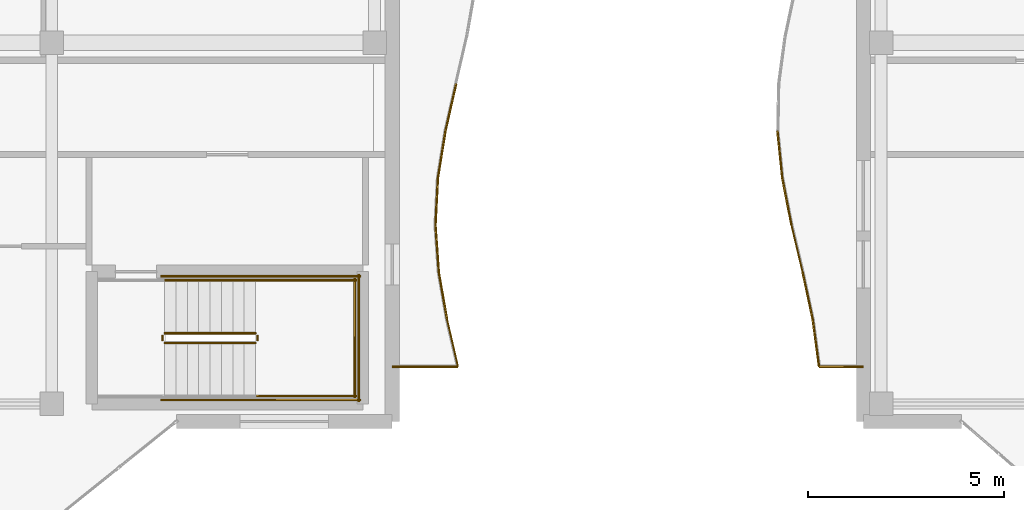
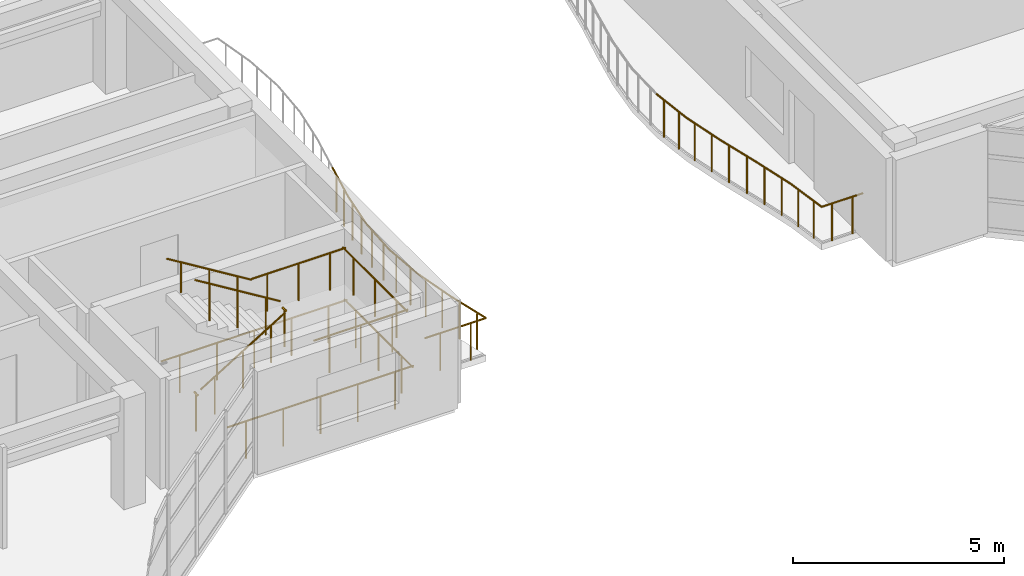
# One storey, part 68 of 79: 24 railings.
"""IFC4 building model written with IfcOpenShell, lengths in metres."""

from ifc_helpers import new_model, si_unit, direction, frame, origin, origin_2d, place, context, subcontext, project, spatial, circle, extrude, material, type_object, element, save


model = new_model("IFC4")

# Units and contexts
model_context = context("Model", 3, precision=1e-05, world=origin(), true_north=direction((0.0, 1.0)))
body_context = subcontext(model_context, "Body", "Model", "MODEL_VIEW")
ifc_project = project(units=[si_unit("LENGTHUNIT", "METRE"), si_unit("AREAUNIT", "SQUARE_METRE"), si_unit("VOLUMEUNIT", "CUBIC_METRE"), si_unit("PLANEANGLEUNIT", "RADIAN"), si_unit("MASSUNIT", "GRAM", prefix="KILO")], contexts=[model_context])

# Site, building, storey
site_placement = place(None, origin())
site = spatial("IfcSite", under=ifc_project, at=site_placement, CompositionType="ELEMENT")
building_placement = place(site_placement, origin())
building = spatial("IfcBuilding", under=site, at=building_placement, Name="Keldmere Railside Commons", CompositionType="ELEMENT")
storey_placement = place(building_placement, frame((0.0, 0.0, 10.56005859375)))
storey = spatial("IfcBuildingStorey", under=building, at=storey_placement, Name="L03", CompositionType="ELEMENT", Elevation=10.56005859375)

# Railings
ifc_material = material(Name="Steel F-24 (S235)", Category="steel")
railing_type_1 = type_object("IfcRailingType", Name="Balcony & Terrace Steel Balustrade 1100", PredefinedType="BALUSTRADE", material=ifc_material)
railing_1_placement = place(storey_placement, frame((81.5, 101.39990234375, 0.0)))
element("IfcRailing", 1, at=railing_1_placement, inside=storey, type_object=railing_type_1, Name="GR-1 GRD-L03-1138", PredefinedType="BALUSTRADE", context=body_context, shape_type="SweptSolid", body=[
    extrude(circle(Radius=0.02392578125, at=origin_2d()), frame((0.0, 0.0, 1.076171875), z_axis=(1.0, 0.0, 0.0), x_axis=(0.0, 1.0, 0.0)), (0.0, 0.0, 1.0), 1.6728515625),
    extrude(circle(Radius=0.02099609375, at=origin_2d()), frame((0.418212890625, 0.0, 0.0)), (0.0, 0.0, 1.0), 1.048095703125),
    extrude(circle(Radius=0.02099609375, at=origin_2d()), frame((1.254638671875, 0.0, 0.0)), (0.0, 0.0, 1.0), 1.048095703125),
])
railing_2_placement = place(storey_placement, frame((83.1728515625, 101.39990234375, 0.0)))
element("IfcRailing", 2, at=railing_2_placement, inside=storey, type_object=railing_type_1, Name="GR-1 GRD-L03-1139", PredefinedType="BALUSTRADE", context=body_context, shape_type="SweptSolid", body=[
    extrude(circle(Radius=0.02392578125, at=origin_2d()), frame((0.0, 0.0, 1.076171875), z_axis=(-0.225525239309, 0.974237325519, 0.0), x_axis=(-0.974237325519, -0.225525239309, 0.0)), (0.0, 0.0, 1.0), 1.23193359375),
    extrude(circle(Radius=0.02099609375, at=origin_2d()), frame((-0.0693359375, 0.300048828125, 0.0)), (0.0, 0.0, 1.0), 1.048095703125),
    extrude(circle(Radius=0.02099609375, at=origin_2d()), frame((-0.20849609375, 0.900146484375, 0.0)), (0.0, 0.0, 1.0), 1.048095703125),
])
railing_3_placement = place(storey_placement, frame((82.89501953125, 102.60009765625, 0.0)))
element("IfcRailing", 3, at=railing_3_placement, inside=storey, type_object=railing_type_1, Name="GR-1 GRD-L03-1140", PredefinedType="BALUSTRADE", context=body_context, shape_type="SweptSolid", body=[
    extrude(circle(Radius=0.02392578125, at=origin_2d()), frame((0.0, 0.0, 1.076171875), z_axis=(-0.17196706336, 0.985102699783, 0.0), x_axis=(-0.985102699783, -0.17196706336, 0.0)), (0.0, 0.0, 1.0), 1.218017578125),
    extrude(circle(Radius=0.02099609375, at=origin_2d()), frame((-0.05224609375, 0.300048828125, 0.0)), (0.0, 0.0, 1.0), 1.048095703125),
    extrude(circle(Radius=0.02099609375, at=origin_2d()), frame((-0.1572265625, 0.89990234375, 0.0)), (0.0, 0.0, 1.0), 1.048095703125),
])
railing_4_placement = place(storey_placement, frame((82.685546875, 103.800048828125, 0.0)))
element("IfcRailing", 4, at=railing_4_placement, inside=storey, type_object=railing_type_1, Name="GR-1 GRD-L03-1141", PredefinedType="BALUSTRADE", context=body_context, shape_type="SweptSolid", body=[
    extrude(circle(Radius=0.02392578125, at=origin_2d()), frame((0.0, 0.0, 1.076171875), z_axis=(-0.070626851772, 0.997502805915, 0.0), x_axis=(-0.997502805915, -0.070626851772, 0.0)), (0.0, 0.0, 1.0), 1.202880859375),
    extrude(circle(Radius=0.02099609375, at=origin_2d()), frame((-0.021240234375, 0.300048828125, 0.0)), (0.0, 0.0, 1.0), 1.048095703125),
    extrude(circle(Radius=0.02099609375, at=origin_2d()), frame((-0.063720703125, 0.89990234375, 0.0)), (0.0, 0.0, 1.0), 1.048095703125),
])
railing_5_placement = place(storey_placement, frame((82.6005859375, 105.0, 0.0)))
element("IfcRailing", 5, at=railing_5_placement, inside=storey, type_object=railing_type_1, Name="GR-1 GRD-L03-1142", PredefinedType="BALUSTRADE", context=body_context, shape_type="SweptSolid", body=[
    extrude(circle(Radius=0.02392578125, at=origin_2d()), frame((0.0, 0.0, 1.076171875), z_axis=(0.051609664831, 0.998667333248, 0.0), x_axis=(-0.998667333248, 0.051609664831, 0.0)), (0.0, 0.0, 1.0), 1.20166015625),
    extrude(circle(Radius=0.02099609375, at=origin_2d()), frame((0.015625, 0.300048828125, 0.0)), (0.0, 0.0, 1.0), 1.048095703125),
    extrude(circle(Radius=0.02099609375, at=origin_2d()), frame((0.04638671875, 0.89990234375, 0.0)), (0.0, 0.0, 1.0), 1.048095703125),
])
railing_6_placement = place(storey_placement, frame((82.66259765625, 106.199951171875, 0.0)))
element("IfcRailing", 6, at=railing_6_placement, inside=storey, type_object=railing_type_1, Name="GR-1 GRD-L03-1143", PredefinedType="BALUSTRADE", context=body_context, shape_type="SweptSolid", body=[
    extrude(circle(Radius=0.02392578125, at=origin_2d()), frame((0.0, 0.0, 1.076171875), z_axis=(0.158695579516, 0.987327561168, 0.0), x_axis=(-0.987327561168, 0.158695579516, 0.0)), (0.0, 0.0, 1.0), 1.21533203125),
    extrude(circle(Radius=0.02099609375, at=origin_2d()), frame((0.04833984375, 0.300048828125, 0.0)), (0.0, 0.0, 1.0), 1.048095703125),
    extrude(circle(Radius=0.02099609375, at=origin_2d()), frame((0.14453125, 0.89990234375, 0.0)), (0.0, 0.0, 1.0), 1.048095703125),
])
railing_7_placement = place(storey_placement, frame((82.85546875, 107.39990234375, 0.0)))
element("IfcRailing", 7, at=railing_7_placement, inside=storey, type_object=railing_type_1, Name="GR-1 GRD-L03-1144", PredefinedType="BALUSTRADE", context=body_context, shape_type="SweptSolid", body=[
    extrude(circle(Radius=0.02392578125, at=origin_2d()), frame((0.0, 0.0, 1.076171875), z_axis=(0.220814970229, 0.975315717562, 0.0), x_axis=(-0.975315717562, 0.220814970229, 0.0)), (0.0, 0.0, 1.0), 1.23046875),
    extrude(circle(Radius=0.02099609375, at=origin_2d()), frame((0.06787109375, 0.300048828125, 0.0)), (0.0, 0.0, 1.0), 1.048095703125),
    extrude(circle(Radius=0.02099609375, at=origin_2d()), frame((0.203857421875, 0.900146484375, 0.0)), (0.0, 0.0, 1.0), 1.048095703125),
])
railing_8_placement = place(storey_placement, frame((93.5, 101.39990234375, 0.0)))
element("IfcRailing", 8, at=railing_8_placement, inside=storey, type_object=railing_type_1, Name="GR-1 GRD-L03-2211", PredefinedType="BALUSTRADE", context=body_context, shape_type="SweptSolid", body=[
    extrude(circle(Radius=0.02392578125, at=origin_2d()), frame((0.0, 0.0, 1.076171875), z_axis=(-1.0, 0.0, 0.0), x_axis=(0.0, -1.0, 0.0)), (0.0, 0.0, 1.0), 1.131103515625),
    extrude(circle(Radius=0.02099609375, at=origin_2d()), frame((-0.28271484375, 0.0, 0.0)), (0.0, 0.0, 1.0), 1.048095703125),
    extrude(circle(Radius=0.02099609375, at=origin_2d()), frame((-0.848388671875, 0.0, 0.0)), (0.0, 0.0, 1.0), 1.048095703125),
])
railing_9_placement = place(storey_placement, frame((92.368896484375, 101.39990234375, 0.0)))
element("IfcRailing", 9, at=railing_9_placement, inside=storey, type_object=railing_type_1, Name="GR-1 GRD-L03-2212", PredefinedType="BALUSTRADE", context=body_context, shape_type="SweptSolid", body=[
    extrude(circle(Radius=0.02392578125, at=origin_2d()), frame((0.0, 0.0, 1.076171875), z_axis=(-0.132665550512, 0.991160860662, 0.0), x_axis=(-0.991160860662, -0.132665550512, 0.0)), (0.0, 0.0, 1.0), 1.2109375),
    extrude(circle(Radius=0.02099609375, at=origin_2d()), frame((-0.0400390625, 0.300048828125, 0.0)), (0.0, 0.0, 1.0), 1.048095703125),
    extrude(circle(Radius=0.02099609375, at=origin_2d()), frame((-0.12060546875, 0.900146484375, 0.0)), (0.0, 0.0, 1.0), 1.048095703125),
])
railing_10_placement = place(storey_placement, frame((92.208251953125, 102.60009765625, 0.0)))
element("IfcRailing", 10, at=railing_10_placement, inside=storey, type_object=railing_type_1, Name="GR-1 GRD-L03-2213", PredefinedType="BALUSTRADE", context=body_context, shape_type="SweptSolid", body=[
    extrude(circle(Radius=0.02392578125, at=origin_2d()), frame((0.0, 0.0, 1.076171875), z_axis=(-0.20910785461, 0.977892583641, 0.0), x_axis=(-0.977892583641, -0.20910785461, 0.0)), (0.0, 0.0, 1.0), 1.22705078125),
    extrude(circle(Radius=0.02099609375, at=origin_2d()), frame((-0.064208984375, 0.300048828125, 0.0)), (0.0, 0.0, 1.0), 1.048095703125),
    extrude(circle(Radius=0.02099609375, at=origin_2d()), frame((-0.1923828125, 0.89990234375, 0.0)), (0.0, 0.0, 1.0), 1.048095703125),
])
railing_11_placement = place(storey_placement, frame((91.95166015625, 103.800048828125, 0.0)))
element("IfcRailing", 11, at=railing_11_placement, inside=storey, type_object=railing_type_1, Name="GR-1 GRD-L03-2214", PredefinedType="BALUSTRADE", context=body_context, shape_type="SweptSolid", body=[
    extrude(circle(Radius=0.02392578125, at=origin_2d()), frame((0.0, 0.0, 1.076171875), z_axis=(-0.230264103004, 0.973128173915, 0.0), x_axis=(-0.973128173915, -0.230264103004, 0.0)), (0.0, 0.0, 1.0), 1.233154296875),
    extrude(circle(Radius=0.02099609375, at=origin_2d()), frame((-0.071044921875, 0.300048828125, 0.0)), (0.0, 0.0, 1.0), 1.048095703125),
    extrude(circle(Radius=0.02099609375, at=origin_2d()), frame((-0.212890625, 0.89990234375, 0.0)), (0.0, 0.0, 1.0), 1.048095703125),
])
railing_12_placement = place(storey_placement, frame((91.667724609375, 105.0, 0.0)))
element("IfcRailing", 12, at=railing_12_placement, inside=storey, type_object=railing_type_1, Name="GR-1 GRD-L03-2215", PredefinedType="BALUSTRADE", context=body_context, shape_type="SweptSolid", body=[
    extrude(circle(Radius=0.02392578125, at=origin_2d()), frame((0.0, 0.0, 1.076171875), z_axis=(-0.192082676456, 0.981378747174, 0.0), x_axis=(-0.981378747174, -0.192082676456, 0.0)), (0.0, 0.0, 1.0), 1.22265625),
    extrude(circle(Radius=0.02099609375, at=origin_2d()), frame((-0.05859375, 0.300048828125, 0.0)), (0.0, 0.0, 1.0), 1.048095703125),
    extrude(circle(Radius=0.02099609375, at=origin_2d()), frame((-0.17626953125, 0.89990234375, 0.0)), (0.0, 0.0, 1.0), 1.048095703125),
])
railing_13_placement = place(storey_placement, frame((91.432861328125, 106.199951171875, 0.0)))
element("IfcRailing", 13, at=railing_13_placement, inside=storey, type_object=railing_type_1, Name="GR-1 GRD-L03-2216", PredefinedType="BALUSTRADE", context=body_context, shape_type="SweptSolid", body=[
    extrude(circle(Radius=0.02392578125, at=origin_2d()), frame((0.0, 0.0, 1.076171875), z_axis=(-0.102208608031, 0.99476298707, 0.0), x_axis=(-0.99476298707, -0.102208608031, 0.0)), (0.0, 0.0, 1.0), 1.206298828125),
    extrude(circle(Radius=0.02099609375, at=origin_2d()), frame((-0.03076171875, 0.300048828125, 0.0)), (0.0, 0.0, 1.0), 1.048095703125),
    extrude(circle(Radius=0.02099609375, at=origin_2d()), frame((-0.092529296875, 0.89990234375, 0.0)), (0.0, 0.0, 1.0), 1.048095703125),
])
railing_type_2 = type_object("IfcRailingType", Name="Stair Well Steel Guardrail 1100", PredefinedType="BALUSTRADE", material=ifc_material)
railing_14_placement = place(storey_placement, frame((75.699951171875, 102.0, 0.177734375)))
element("IfcRailing", 14, at=railing_14_placement, inside=storey, type_object=railing_type_2, Name="L03 ST-C2 stair guard 1", PredefinedType="BALUSTRADE", context=body_context, shape_type="SweptSolid", body=[
    extrude(circle(Radius=0.02392578125, at=origin_2d()), frame((0.0, 0.0, 1.076171875), z_axis=(0.852578041948, 0.0, 0.522599925744), x_axis=(0.0, 1.0, 0.0)), (0.0, 0.0, 1.0), 2.72119140625),
    extrude(circle(Radius=0.02099609375, at=origin_2d()), frame((0.38671875, 0.0, 0.237060546875)), (0.0, 0.0, 1.0), 1.048095703125),
    extrude(circle(Radius=0.02099609375, at=origin_2d()), frame((1.16015625, 0.0, 0.7109375)), (0.0, 0.0, 1.0), 1.048095703125),
    extrude(circle(Radius=0.02099609375, at=origin_2d()), frame((1.933349609375, 0.0, 1.18505859375)), (0.0, 0.0, 1.0), 1.048095703125),
])
railing_15_placement = place(storey_placement, frame((78.070068359375, 102.050048828125, 1.599853515625)))
element("IfcRailing", 15, at=railing_15_placement, inside=storey, type_object=railing_type_2, Name="L03 ST-C2 stair guard 2", PredefinedType="BALUSTRADE", context=body_context, shape_type="SweptSolid", body=[
    extrude(circle(Radius=0.02392578125, at=origin_2d()), frame((0.0, 0.0, 1.076171875), z_axis=(0.0, 1.0, 0.0), x_axis=(-1.0, 0.0, 0.0)), (0.0, 0.0, 1.0), 0.14990234375),
    extrude(circle(Radius=0.02099609375, at=origin_2d()), frame((0.0, 0.074951171875, 0.0)), (0.0, 0.0, 1.0), 1.048095703125),
])
for number, where, name in (
    (16, (78.02001953125, 100.64990234375, 1.599853515625), "L03 ST-C2 stair guard 3"),
    (17, (78.02001953125, 103.60009765625, 1.599853515625), "L03 ST-C2 stair guard 4"),
):
    element("IfcRailing", number, at=place(storey_placement, frame(where)), inside=storey, type_object=railing_type_2, Name=name, PredefinedType="BALUSTRADE", context=body_context, shape_type="SweptSolid", body=[
        extrude(circle(Radius=0.02392578125, at=origin_2d()), frame((0.0, 0.0, 1.076171875), z_axis=(1.0, 0.0, 0.0), x_axis=(0.0, 1.0, 0.0)), (0.0, 0.0, 1.0), 2.580078125),
        extrude(circle(Radius=0.02099609375, at=origin_2d()), frame((0.429931640625, 0.0, 0.0)), (0.0, 0.0, 1.0), 1.048095703125),
        extrude(circle(Radius=0.02099609375, at=origin_2d()), frame((1.2900390625, 0.0, 0.0)), (0.0, 0.0, 1.0), 1.048095703125),
        extrude(circle(Radius=0.02099609375, at=origin_2d()), frame((2.150146484375, 0.0, 0.0)), (0.0, 0.0, 1.0), 1.048095703125),
    ])
railing_16_placement = place(storey_placement, frame((80.550048828125, 100.60009765625, 1.599853515625)))
element("IfcRailing", 18, at=railing_16_placement, inside=storey, type_object=railing_type_2, Name="L03 ST-C2 stair guard 5", PredefinedType="BALUSTRADE", context=body_context, shape_type="SweptSolid", body=[
    extrude(circle(Radius=0.02392578125, at=origin_2d()), frame((0.0, 0.0, 1.076171875), z_axis=(0.0, 1.0, 0.0), x_axis=(-1.0, 0.0, 0.0)), (0.0, 0.0, 1.0), 3.0498046875),
    extrude(circle(Radius=0.02099609375, at=origin_2d()), frame((0.0, 0.50830078125, 0.0)), (0.0, 0.0, 1.0), 1.048095703125),
    extrude(circle(Radius=0.02099609375, at=origin_2d()), frame((0.0, 1.52490234375, 0.0)), (0.0, 0.0, 1.0), 1.048095703125),
    extrude(circle(Radius=0.02099609375, at=origin_2d()), frame((0.0, 2.54150390625, 0.0)), (0.0, 0.0, 1.0), 1.048095703125),
])
railing_17_placement = place(storey_placement, frame((78.02001953125, 102.25, 1.77783203125)))
element("IfcRailing", 19, at=railing_17_placement, inside=storey, type_object=railing_type_2, Name="L03 ST-C2 stair guard 6", PredefinedType="BALUSTRADE", context=body_context, shape_type="SweptSolid", body=[
    extrude(circle(Radius=0.02392578125, at=origin_2d()), frame((0.0, 0.0, 1.076171875), z_axis=(-0.852578041948, 0.0, 0.522599925744), x_axis=(0.0, -1.0, 0.0)), (0.0, 0.0, 1.0), 2.72119140625),
    extrude(circle(Radius=0.02099609375, at=origin_2d()), frame((-0.38671875, 0.0, 0.237060546875)), (0.0, 0.0, 1.0), 1.048095703125),
    extrude(circle(Radius=0.02099609375, at=origin_2d()), frame((-1.16015625, 0.0, 0.7109375)), (0.0, 0.0, 1.0), 1.048095703125),
    extrude(circle(Radius=0.02099609375, at=origin_2d()), frame((-1.933349609375, 0.0, 1.18505859375)), (0.0, 0.0, 1.0), 1.048095703125),
])
railing_18_placement = place(storey_placement, frame((75.64990234375, 102.050048828125, 0.0)))
element("IfcRailing", 20, at=railing_18_placement, inside=storey, type_object=railing_type_2, Name="L03 ST-C2 stair guard 7", PredefinedType="BALUSTRADE", context=body_context, shape_type="SweptSolid", body=[
    extrude(circle(Radius=0.02392578125, at=origin_2d()), frame((0.0, 0.0, 1.076171875), z_axis=(0.0, 1.0, 0.0), x_axis=(-1.0, 0.0, 0.0)), (0.0, 0.0, 1.0), 0.14990234375),
    extrude(circle(Radius=0.02099609375, at=origin_2d()), frame((0.0, 0.074951171875, 0.0)), (0.0, 0.0, 1.0), 1.048095703125),
])
for number, where, name in (
    (21, (75.60009765625, 100.550048828125, 0.0), "L03 ST-C2 stair guard 10"),
    (22, (75.60009765625, 103.699951171875, 0.0), "L03 ST-C2 stair guard 11"),
):
    element("IfcRailing", number, at=place(storey_placement, frame(where)), inside=storey, type_object=railing_type_2, Name=name, PredefinedType="BALUSTRADE", context=body_context, shape_type="SweptSolid", body=[
        extrude(circle(Radius=0.02392578125, at=origin_2d()), frame((0.0, 0.0, 1.076171875), z_axis=(1.0, 0.0, 0.0), x_axis=(0.0, 1.0, 0.0)), (0.0, 0.0, 1.0), 5.099853515625),
        extrude(circle(Radius=0.02099609375, at=origin_2d()), frame((0.510009765625, 0.0, 0.0)), (0.0, 0.0, 1.0), 1.048095703125),
        extrude(circle(Radius=0.02099609375, at=origin_2d()), frame((1.530029296875, 0.0, 0.0)), (0.0, 0.0, 1.0), 1.048095703125),
        extrude(circle(Radius=0.02099609375, at=origin_2d()), frame((2.5498046875, 0.0, 0.0)), (0.0, 0.0, 1.0), 1.048095703125),
        extrude(circle(Radius=0.02099609375, at=origin_2d()), frame((3.56982421875, 0.0, 0.0)), (0.0, 0.0, 1.0), 1.048095703125),
        extrude(circle(Radius=0.02099609375, at=origin_2d()), frame((4.58984375, 0.0, 0.0)), (0.0, 0.0, 1.0), 1.048095703125),
    ])
railing_19_placement = place(storey_placement, frame((80.64990234375, 100.5, 0.0)))
element("IfcRailing", 23, at=railing_19_placement, inside=storey, type_object=railing_type_2, Name="L03 ST-C2 stair guard 12", PredefinedType="BALUSTRADE", context=body_context, shape_type="SweptSolid", body=[
    extrude(circle(Radius=0.02392578125, at=origin_2d()), frame((0.0, 0.0, 1.076171875), z_axis=(0.0, 1.0, 0.0), x_axis=(-1.0, 0.0, 0.0)), (0.0, 0.0, 1.0), 3.25),
    extrude(circle(Radius=0.02099609375, at=origin_2d()), frame((0.0, 0.541748046875, 0.0)), (0.0, 0.0, 1.0), 1.048095703125),
    extrude(circle(Radius=0.02099609375, at=origin_2d()), frame((0.0, 1.625, 0.0)), (0.0, 0.0, 1.0), 1.048095703125),
    extrude(circle(Radius=0.02099609375, at=origin_2d()), frame((0.0, 2.708251953125, 0.0)), (0.0, 0.0, 1.0), 1.048095703125),
])
railing_type_3 = type_object("IfcRailingType", Name="Wall-Mounted Tubular Steel Handrail 900", PredefinedType="HANDRAIL", material=ifc_material)
railing_20_placement = place(storey_placement, frame((78.02001953125, 103.60009765625, 1.77783203125)))
element("IfcRailing", 24, at=railing_20_placement, inside=storey, type_object=railing_type_3, Name="L03 ST-C2 stair handrail 2", PredefinedType="HANDRAIL", context=body_context, shape_type="SweptSolid", body=[
    extrude(circle(Radius=0.02392578125, at=origin_2d()), frame((0.0, 0.0, 0.8759765625), z_axis=(-0.852578041948, 0.0, 0.522599925744), x_axis=(0.0, -1.0, 0.0)), (0.0, 0.0, 1.0), 2.72119140625),
    extrude(circle(Radius=0.02099609375, at=origin_2d()), frame((-0.38671875, 0.0, 0.237060546875)), (0.0, 0.0, 1.0), 0.847900390625),
    extrude(circle(Radius=0.02099609375, at=origin_2d()), frame((-1.16015625, 0.0, 0.7109375)), (0.0, 0.0, 1.0), 0.847900390625),
    extrude(circle(Radius=0.02099609375, at=origin_2d()), frame((-1.933349609375, 0.0, 1.18505859375)), (0.0, 0.0, 1.0), 0.847900390625),
])

save(model, "model.ifc")
